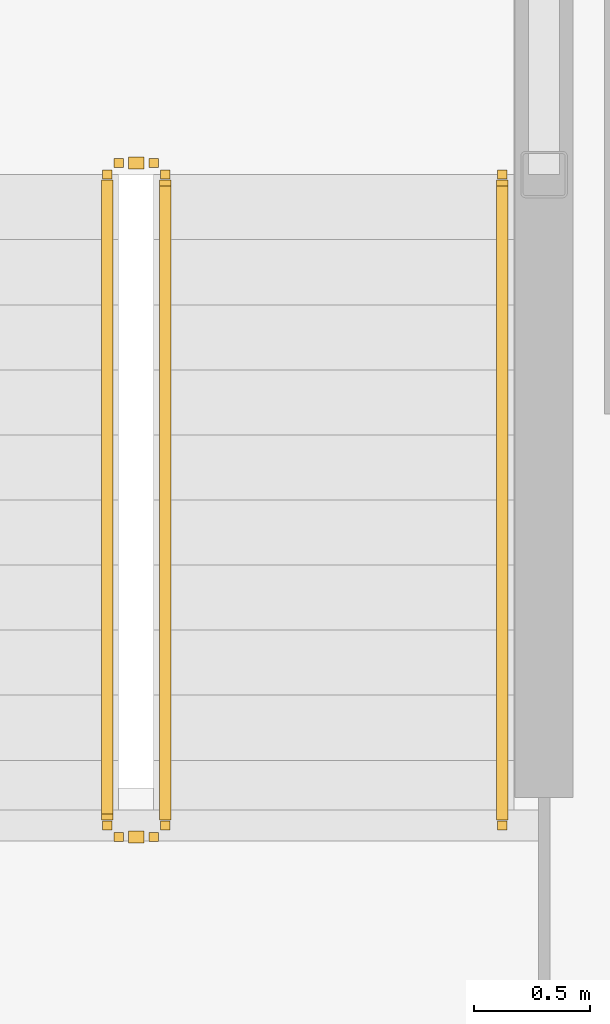
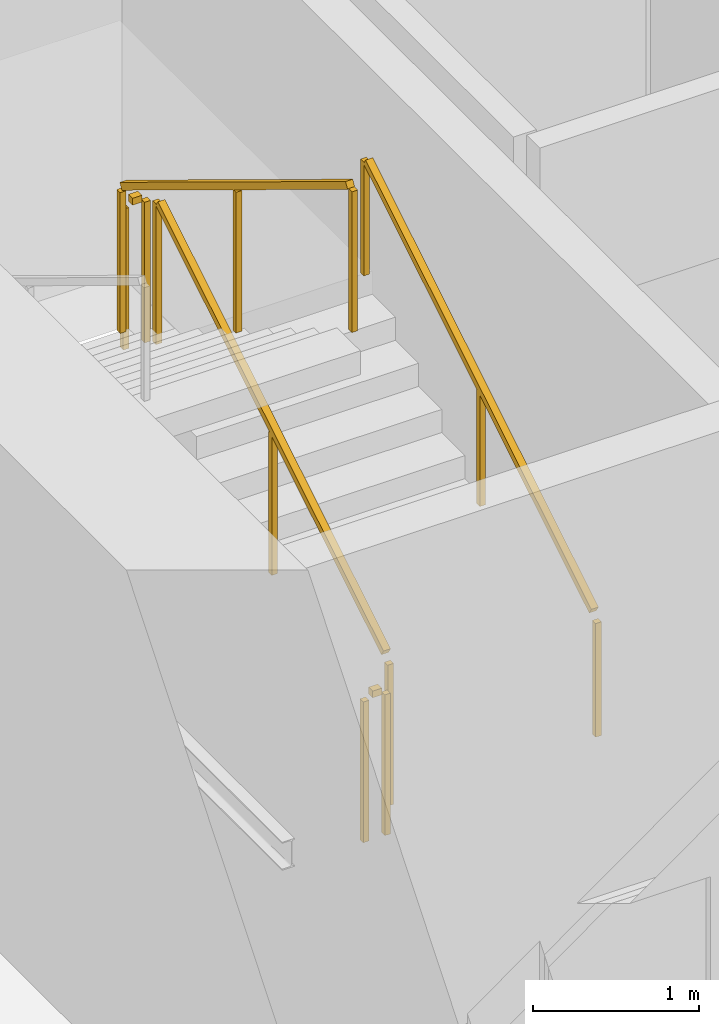
# One storey, part 26 of 31: 5 railings.
"""IFC4 building model written with IfcOpenShell, lengths in metres."""

from ifc_helpers import new_model, si_unit, direction, frame, origin, origin_2d, place, context, subcontext, project, spatial, rectangle, extrude, material, type_object, element, save


model = new_model("IFC4")

# Units and contexts
model_context = context("Model", 3, precision=1e-05, world=origin(), true_north=direction((0.0, 1.0)))
body_context = subcontext(model_context, "Body", "Model", "MODEL_VIEW")
ifc_project = project(units=[si_unit("LENGTHUNIT", "METRE"), si_unit("AREAUNIT", "SQUARE_METRE"), si_unit("VOLUMEUNIT", "CUBIC_METRE"), si_unit("PLANEANGLEUNIT", "RADIAN"), si_unit("MASSUNIT", "GRAM", prefix="KILO")], contexts=[model_context])

# Site, building, storey
site_placement = place(None, origin())
site = spatial("IfcSite", under=ifc_project, at=site_placement, CompositionType="ELEMENT")
building_placement = place(site_placement, origin())
building = spatial("IfcBuilding", under=site, at=building_placement, Name="Kazma Halo Residences", CompositionType="ELEMENT")
storey_placement = place(building_placement, frame((0.0, 0.0, 71.39990234375)))
storey = spatial("IfcBuildingStorey", under=building, at=storey_placement, Name="L17", CompositionType="ELEMENT", Elevation=71.39990234375)

# Railings
ifc_material_1 = material(Name="Painted Steel S355", Category="steel")
railing_type_1 = type_object("IfcRailingType", Name="RLG-STAIR-GRD-1100", PredefinedType="GUARDRAIL", material=ifc_material_1)
railing_1_placement = place(storey_placement, frame((39.550048828125, 39.949951171875, 0.170654296875)))
element("IfcRailing", 1, at=railing_1_placement, inside=storey, type_object=railing_type_1, Name="L17 ST-01 stair guard 1", PredefinedType="GUARDRAIL", context=body_context, shape_type="SweptSolid", body=[
    extrude(rectangle(XDim=0.050048828125, YDim=0.050048828125, at=origin_2d()), frame((0.0, 0.036376953125, 1.09716796875), z_axis=(0.0, 0.854202870247, 0.519939858505), x_axis=(-1.0, 0.0, 0.0)), (0.0, 0.0, 1.0), 3.19287109375),
    extrude(rectangle(XDim=0.0400390625, YDim=0.0400390625, at=origin_2d()), origin(), (0.0, 0.0, 1.0), 1.0380859375),
    extrude(rectangle(XDim=0.0400390625, YDim=0.0400390625, at=origin_2d()), frame((0.0, 1.39990234375, 0.85205078125)), (0.0, 0.0, 1.0), 1.0380859375),
    extrude(rectangle(XDim=0.0400390625, YDim=0.0400390625, at=origin_2d()), frame((0.0, 2.800048828125, 1.704345703125)), (0.0, 0.0, 1.0), 1.0380859375),
])
railing_2_placement = place(storey_placement, frame((39.5, 42.800048828125, 1.875)))
element("IfcRailing", 2, at=railing_2_placement, inside=storey, type_object=railing_type_1, Name="L17 ST-01 stair guard 2", PredefinedType="GUARDRAIL", context=body_context, shape_type="SweptSolid", body=[
    extrude(rectangle(XDim=0.050048828125, YDim=0.050048828125, at=origin_2d()), frame((-0.04248046875, 0.0, 1.0751953125), z_axis=(-1.0, 0.0, 0.0), x_axis=(0.0, -1.0, 0.0)), (0.0, 0.0, 1.0), 0.06494140625),
    extrude(rectangle(XDim=0.0400390625, YDim=0.0400390625, at=origin_2d()), origin(), (0.0, 0.0, 1.0), 1.0380859375),
    extrude(rectangle(XDim=0.0400390625, YDim=0.0400390625, at=origin_2d()), frame((-0.14990234375, 0.0, 0.0)), (0.0, 0.0, 1.0), 1.0380859375),
])
railing_3_placement = place(storey_placement, frame((39.300048828125, 42.75, 2.045654296875)))
element("IfcRailing", 3, at=railing_3_placement, inside=storey, type_object=railing_type_1, Name="L17 ST-01 stair guard 3", PredefinedType="GUARDRAIL", context=body_context, shape_type="SweptSolid", body=[
    extrude(rectangle(XDim=0.050048828125, YDim=0.050048828125, at=origin_2d()), frame((0.0, -0.036376953125, 1.09716796875), z_axis=(0.0, -0.854202870247, 0.519939858505), x_axis=(1.0, 0.0, 0.0)), (0.0, 0.0, 1.0), 3.19287109375),
    extrude(rectangle(XDim=0.0400390625, YDim=0.0400390625, at=origin_2d()), origin(), (0.0, 0.0, 1.0), 1.0380859375),
    extrude(rectangle(XDim=0.0400390625, YDim=0.0400390625, at=origin_2d()), frame((0.0, -1.39990234375, 0.85205078125)), (0.0, 0.0, 1.0), 1.0380859375),
    extrude(rectangle(XDim=0.0400390625, YDim=0.0400390625, at=origin_2d()), frame((0.0, -2.800048828125, 1.704345703125)), (0.0, 0.0, 1.0), 1.0380859375),
])
railing_4_placement = place(storey_placement, frame((39.5, 39.89990234375, 0.0)))
element("IfcRailing", 4, at=railing_4_placement, inside=storey, type_object=railing_type_1, Name="L17 ST-01 stair guard 4", PredefinedType="GUARDRAIL", context=body_context, shape_type="SweptSolid", body=[
    extrude(rectangle(XDim=0.050048828125, YDim=0.050048828125, at=origin_2d()), frame((-0.04248046875, 0.0, 1.0751953125), z_axis=(-1.0, 0.0, 0.0), x_axis=(0.0, -1.0, 0.0)), (0.0, 0.0, 1.0), 0.06494140625),
    extrude(rectangle(XDim=0.0400390625, YDim=0.0400390625, at=origin_2d()), origin(), (0.0, 0.0, 1.0), 1.0380859375),
    extrude(rectangle(XDim=0.0400390625, YDim=0.0400390625, at=origin_2d()), frame((-0.14990234375, 0.0, 0.0)), (0.0, 0.0, 1.0), 1.0380859375),
])
ifc_material_2 = material(Name="Brushed Stainless Steel", Category="steel")
railing_type_2 = type_object("IfcRailingType", Name="RLG-STAIR-HND-900", PredefinedType="HANDRAIL", material=ifc_material_2)
railing_5_placement = place(storey_placement, frame((41.0, 39.949951171875, 0.170654296875)))
element("IfcRailing", 5, at=railing_5_placement, inside=storey, type_object=railing_type_2, Name="L17 ST-01 stair handrail 1", PredefinedType="HANDRAIL", context=body_context, shape_type="SweptSolid", body=[
    extrude(rectangle(XDim=0.050048828125, YDim=0.050048828125, at=origin_2d()), frame((0.0, 0.036376953125, 0.89697265625), z_axis=(0.0, 0.854202870247, 0.519939858505), x_axis=(-1.0, 0.0, 0.0)), (0.0, 0.0, 1.0), 3.19287109375),
    extrude(rectangle(XDim=0.0400390625, YDim=0.0400390625, at=origin_2d()), origin(), (0.0, 0.0, 1.0), 0.837890625),
    extrude(rectangle(XDim=0.0400390625, YDim=0.0400390625, at=origin_2d()), frame((0.0, 1.39990234375, 0.85205078125)), (0.0, 0.0, 1.0), 0.837890625),
    extrude(rectangle(XDim=0.0400390625, YDim=0.0400390625, at=origin_2d()), frame((0.0, 2.800048828125, 1.704345703125)), (0.0, 0.0, 1.0), 0.837890625),
])

save(model, "model.ifc")
